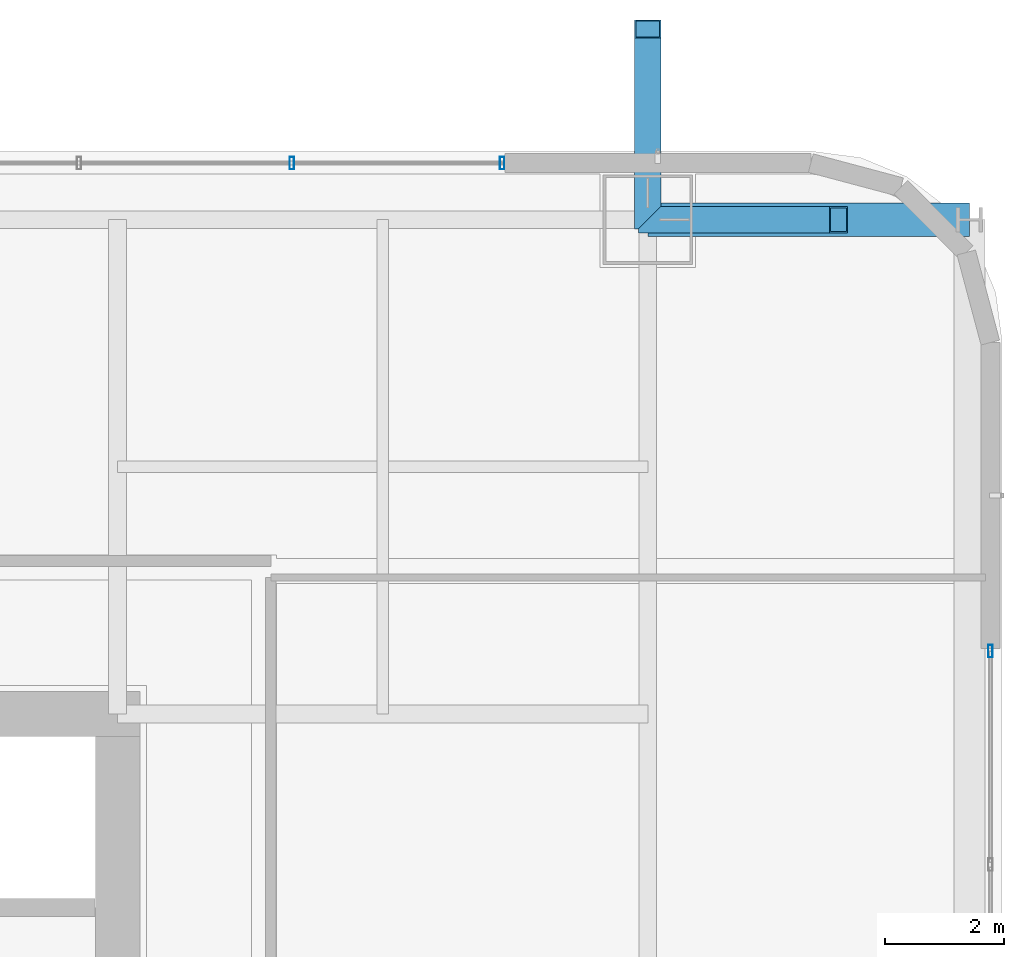
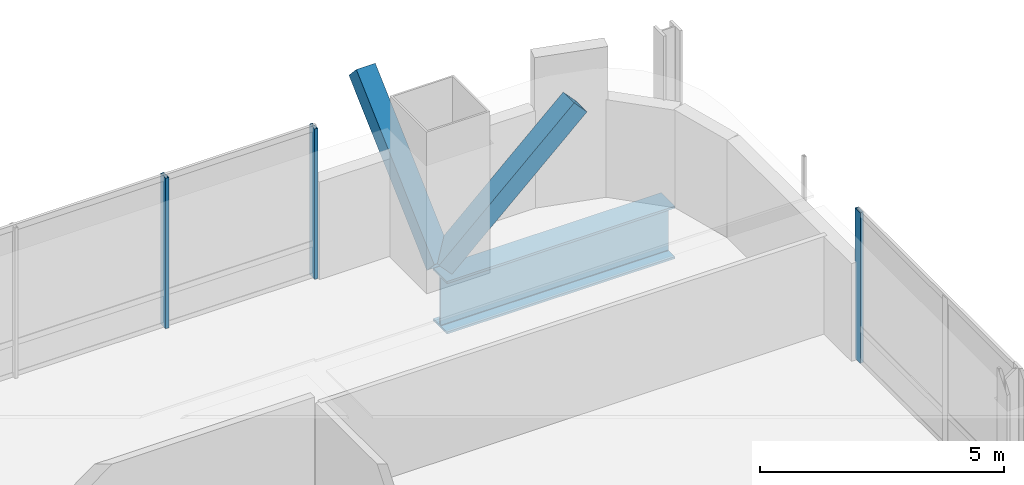
# One storey, part 24 of 42: 5 members, 1 beam, 2 elements without a shape of their own.
"""IFC4 building model written with IfcOpenShell, lengths in metres."""

from ifc_helpers import new_model, si_unit, direction, frame, origin, origin_2d, place, context, subcontext, project, spatial, hollow_rectangle, i_section, extrude, material, material_profile, profile_set, type_object, element, aggregate, save


model = new_model("IFC4")

# Units and contexts
model_context = context("Model", 3, precision=1e-05, world=origin(), true_north=direction((0.0, 1.0)))
body_context = subcontext(model_context, "Body", "Model", "MODEL_VIEW")
ifc_project = project(units=[si_unit("LENGTHUNIT", "METRE"), si_unit("AREAUNIT", "SQUARE_METRE"), si_unit("VOLUMEUNIT", "CUBIC_METRE"), si_unit("PLANEANGLEUNIT", "RADIAN"), si_unit("MASSUNIT", "GRAM", prefix="KILO")], contexts=[model_context])

# Site, building, storey
site_placement = place(None, origin())
site = spatial("IfcSite", under=ifc_project, at=site_placement, CompositionType="ELEMENT")
building_placement = place(site_placement, origin())
building = spatial("IfcBuilding", under=site, at=building_placement, Name="Punatoya Terracotta Tower", CompositionType="ELEMENT")
storey_placement = place(building_placement, frame((0.0, 0.0, 88.949951171875)))
storey = spatial("IfcBuildingStorey", under=building, at=storey_placement, Name="L20", CompositionType="ELEMENT", Elevation=88.949951171875)

# Beam
ifc_material_1 = material(Name="Steel S460", Category="steel")
ifc_material_profile_1 = material_profile(ifc_material_1, i_section(OverallWidth=0.56005859375, OverallDepth=1.320068359375, WebThickness=0.035888671875, FlangeThickness=0.054931640625, FilletRadius=0.01806640625, at=origin_2d()))
ifc_profile_set_1 = profile_set([ifc_material_profile_1], Name="Steel S460")
beam_type = type_object("IfcBeamType", Name="BM-TG-BLK", PredefinedType="BEAM", material=ifc_profile_set_1)
beam_placement = place(storey_placement, frame((19.10009765625, 17.5, -0.89990234375), z_axis=(1.0, 0.0, 0.0), x_axis=(0.0, 1.0, 0.0)))
element("IfcBeam", 1, at=beam_placement, inside=storey, type_object=beam_type, Name="BM-L20-CANT-E4", PredefinedType="BEAM", context=body_context, shape_type="SweptSolid", body=[
    extrude(i_section(OverallWidth=0.56005859375, OverallDepth=1.320068359375, WebThickness=0.035888671875, FlangeThickness=0.054931640625, FilletRadius=0.01806640625, at=origin_2d()), origin(), (0.0, 0.0, 1.0), 5.39990234375),
])

# Curtain wall, member
ifc_material_2 = material(Name="Aluminium 6063-T6 + Double Low-E Glass", Category="aluminium")
curtain_wall_type = type_object("IfcCurtainWallType", Name="CW-M1", PredefinedType="NOTDEFINED", material=ifc_material_2)
curtain_wall_1_placement = place(storey_placement, origin())
curtain_wall_1 = element("IfcCurtainWall", 2, at=curtain_wall_1_placement, inside=storey, type_object=curtain_wall_type, Name="L20 Curtain Wall CW-L20-E05-1", PredefinedType="NOTDEFINED")
ifc_material_3 = material(Name="Aluminium 6063-T6", Category="aluminium")
ifc_material_profile_2 = material_profile(ifc_material_3, hollow_rectangle(XDim=0.074951171875, YDim=0.2099609375, WallThickness=0.00439453125, at=origin_2d()))
ifc_profile_set_2 = profile_set([ifc_material_profile_2], Name="Aluminium 6063-T6")
member_type_1 = type_object("IfcMemberType", Name="CW-MUL-M1", PredefinedType="MULLION", material=ifc_profile_set_2)
member_1_placement = place(storey_placement, frame((24.85009765625, 10.2548828125, 0.0), z_axis=(0.0, 0.0, 1.0), x_axis=(1.0, 0.0, 0.0)))
member_1 = element("IfcMember", 3, at=member_1_placement, type_object=member_type_1, Name="CW-L20-E05-1 Mullion 07", PredefinedType="MULLION", context=body_context, shape_type="SweptSolid", body=[
    extrude(hollow_rectangle(XDim=0.074951171875, YDim=0.2099609375, WallThickness=0.00439453125, at=origin_2d()), origin(), (0.0, 0.0, 1.0), 3.77001953125),
])
aggregate(curtain_wall_1, [member_1])

# Curtain wall, members
curtain_wall_2_placement = place(storey_placement, origin())
curtain_wall_2 = element("IfcCurtainWall", 4, at=curtain_wall_2_placement, inside=storey, type_object=curtain_wall_type, Name="L20 Curtain Wall CW-L20-N09-1", PredefinedType="NOTDEFINED")
member_2_placement = place(storey_placement, frame((16.655029296875, 18.449951171875, 0.0), z_axis=(0.0, 0.0, 1.0), x_axis=(1.0, 0.0, 0.0)))
member_2 = element("IfcMember", 5, at=member_2_placement, type_object=member_type_1, Name="CW-L20-N09-1 Mullion 00", PredefinedType="MULLION", context=body_context, shape_type="SweptSolid", body=[
    extrude(hollow_rectangle(XDim=0.074951171875, YDim=0.2099609375, WallThickness=0.00439453125, at=origin_2d()), origin(), (0.0, 0.0, 1.0), 3.77001953125),
])
member_3_placement = place(storey_placement, frame((13.125, 18.449951171875, 0.0), z_axis=(0.0, 0.0, 1.0), x_axis=(1.0, 0.0, 0.0)))
member_3 = element("IfcMember", 6, at=member_3_placement, type_object=member_type_1, Name="CW-L20-N09-1 Mullion 01", PredefinedType="MULLION", context=body_context, shape_type="SweptSolid", body=[
    extrude(hollow_rectangle(XDim=0.074951171875, YDim=0.2099609375, WallThickness=0.00439453125, at=origin_2d()), origin(), (0.0, 0.0, 1.0), 3.77001953125),
])
aggregate(curtain_wall_2, [member_2, member_3])

# Members
ifc_material_profile_3 = material_profile(ifc_material_1, hollow_rectangle(XDim=0.449951171875, YDim=0.449951171875, WallThickness=0.02490234375, at=origin_2d()))
ifc_profile_set_3 = profile_set([ifc_material_profile_3], Name="Steel S460")
member_type_2 = type_object("IfcMemberType", Name="MEM-STR-450", PredefinedType="STRUT", material=ifc_profile_set_3)
for number, where, z_axis, x_axis, name in (
    (7, (19.10009765625, 17.5, 0.02001953125), (0.735244168043, 0.0, 0.677802340922), (0.0, 1.0, 0.0), "L21 Cantilever Raking Knee-Strut E2"),
    (8, (19.10009765625, 17.5, 0.02001953125), (0.0, 0.735244168043, 0.677802340922), (-1.0, 0.0, 0.0), "L21 Cantilever Raking Knee-Strut N2"),
):
    element("IfcMember", number, at=place(storey_placement, frame(where, z_axis=z_axis, x_axis=x_axis)), inside=storey, type_object=member_type_2, Name=name, PredefinedType="STRUT", context=body_context, shape_type="SweptSolid", body=[
        extrude(hollow_rectangle(XDim=0.449951171875, YDim=0.449951171875, WallThickness=0.02490234375, at=origin_2d()), origin(), (0.0, 0.0, 1.0), 4.352294921875),
    ])

save(model, "model.ifc")
